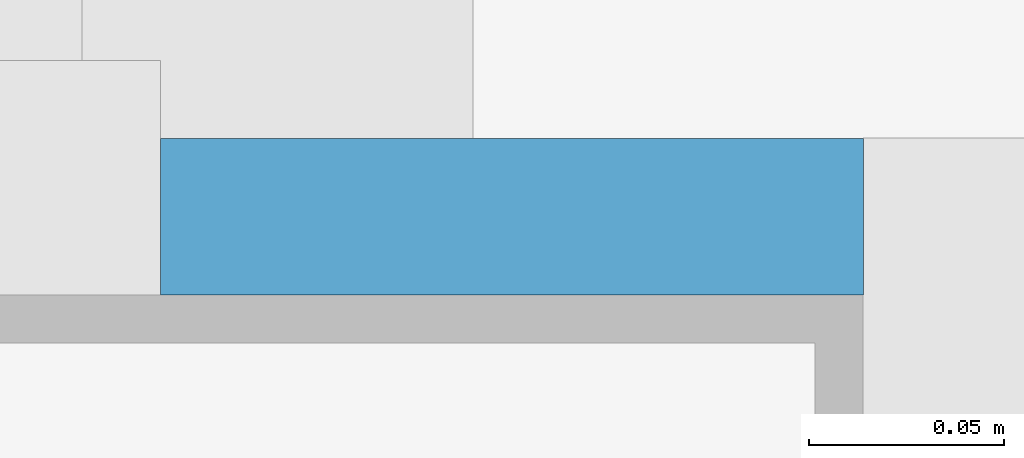
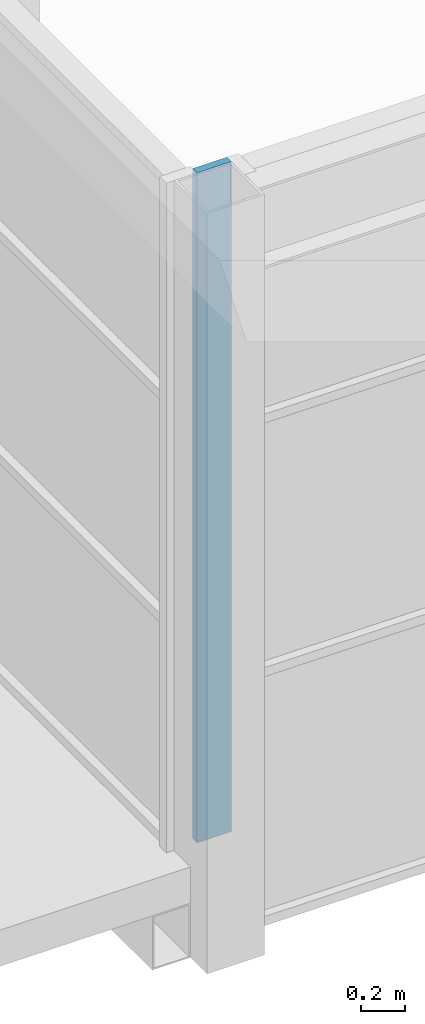
# One storey, part 104 of 182: 1 discrete accessory.
"""IFC4 building model written with IfcOpenShell, lengths in metres."""

from ifc_helpers import new_model, si_unit, direction, frame, origin, origin_2d, place, context, subcontext, project, spatial, rectangle, extrude, material, type_object, element, save


model = new_model("IFC4")

# Units and contexts
model_context = context("Model", 3, precision=1e-05, world=origin(), true_north=direction((0.0, 1.0)))
body_context = subcontext(model_context, "Body", "Model", "MODEL_VIEW")
ifc_project = project(units=[si_unit("LENGTHUNIT", "METRE"), si_unit("AREAUNIT", "SQUARE_METRE"), si_unit("VOLUMEUNIT", "CUBIC_METRE"), si_unit("PLANEANGLEUNIT", "RADIAN"), si_unit("MASSUNIT", "GRAM", prefix="KILO")], contexts=[model_context])

# Site, building, storey
site_placement = place(None, origin())
site = spatial("IfcSite", under=ifc_project, at=site_placement, CompositionType="ELEMENT")
building_placement = place(site_placement, origin())
building = spatial("IfcBuilding", under=site, at=building_placement, Name="Silverbay Arena", CompositionType="ELEMENT")
storey_placement = place(building_placement, frame((0.0, 0.0, 11.5)))
storey = spatial("IfcBuildingStorey", under=building, at=storey_placement, Name="L02", CompositionType="ELEMENT", Elevation=11.5)

# Discrete accessory
ifc_material = material(Name="Steel S355", Category="steel")
discrete_accessory_type = type_object("IfcDiscreteAccessoryType", Name="Steel bracket plate", PredefinedType="BRACKET", material=ifc_material)
discrete_accessory_placement = place(storey_placement, frame((18.760009765625, 99.169921875, 0.5), z_axis=(0.0, 0.0, 1.0), x_axis=(1.0, 0.0, 0.0)))
element("IfcDiscreteAccessory", 1, at=discrete_accessory_placement, inside=storey, type_object=discrete_accessory_type, Name="Glazing corner closer plate", PredefinedType="BRACKET", context=body_context, shape_type="SweptSolid", body=[
    extrude(rectangle(XDim=0.179931640625, YDim=0.0400390625, at=origin_2d()), origin(), (0.0, 0.0, 1.0), 3.699951171875),
])

save(model, "model.ifc")
